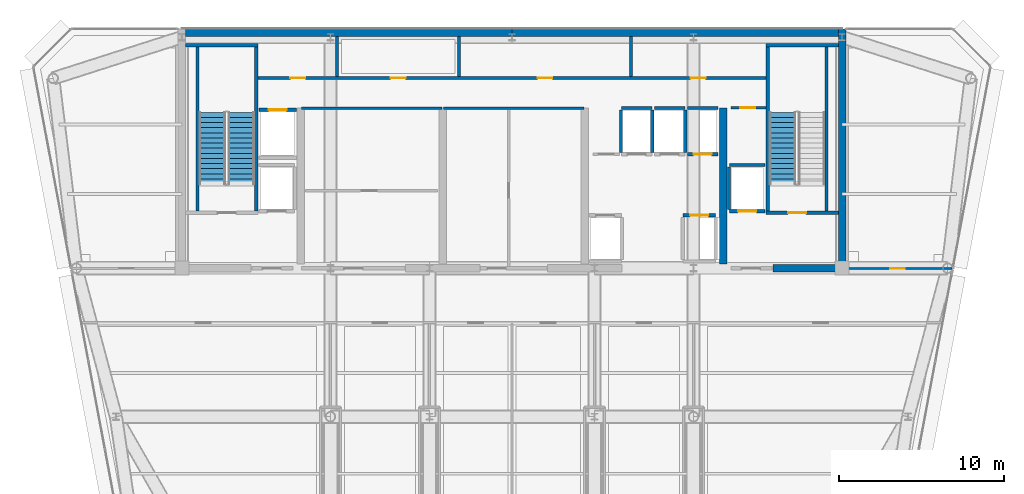
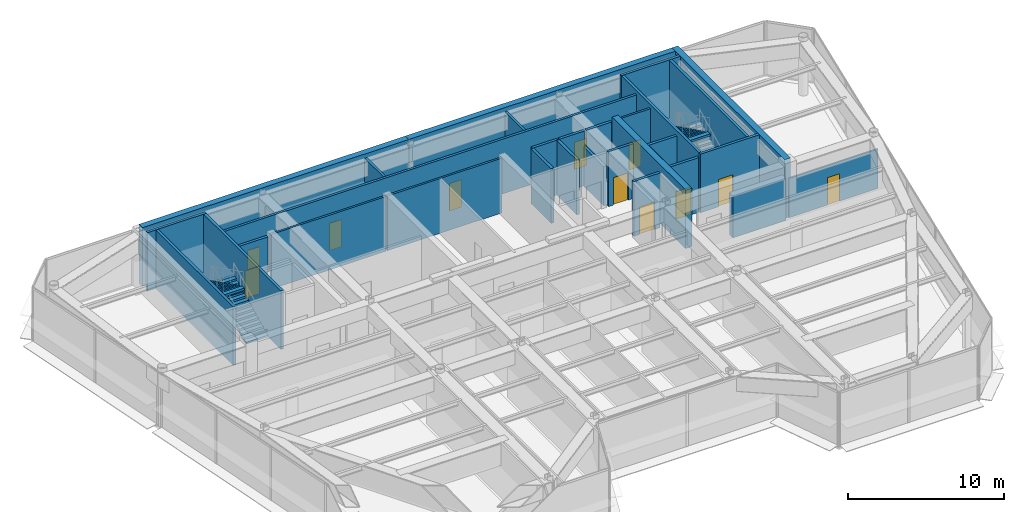
# One storey, part 12 of 20: 32 walls, 11 doors, 3 stair flights, 11 openings, 2 elements without a shape of their own.
"""IFC4 building model written with IfcOpenShell, lengths in metres."""

from ifc_helpers import new_model, si_unit, direction, frame, frame_2d, origin, place, context, subcontext, project, spatial, polyline, rectangle, outline, extrude, source, transform, mapped, material, layer, layer_set, type_object, element, fill, aggregate, save


model = new_model("IFC4")

# Units and contexts
model_context = context("Model", 3, precision=1e-05, world=origin(), true_north=direction((0.0, 1.0)))
body_context = subcontext(model_context, "Body", "Model", "MODEL_VIEW")
ifc_project = project(units=[si_unit("LENGTHUNIT", "METRE"), si_unit("AREAUNIT", "SQUARE_METRE"), si_unit("VOLUMEUNIT", "CUBIC_METRE"), si_unit("PLANEANGLEUNIT", "RADIAN"), si_unit("MASSUNIT", "GRAM", prefix="KILO")], contexts=[model_context])

# Site, building, storey
site_placement = place(None, origin())
site = spatial("IfcSite", under=ifc_project, at=site_placement, CompositionType="ELEMENT")
building_placement = place(site_placement, origin())
building = spatial("IfcBuilding", under=site, at=building_placement, Name="Vaeldorn Concourse Tower", CompositionType="ELEMENT")
storey_placement = place(building_placement, frame((0.0, 0.0, 299.199951171875)))
storey = spatial("IfcBuildingStorey", under=building, at=storey_placement, Name="L77", CompositionType="ELEMENT", Elevation=299.199951171875)

# Walls
ifc_material_1 = material(Name="Concrete C50/60", Category="concrete")
ifc_layer_1 = layer(ifc_material_1, 0.449951171875)
ifc_layer_set_1 = layer_set([ifc_layer_1], Name="Concrete C50/60")
wall_type_1 = type_object("IfcWallType", Name="WL-CORE-450", PredefinedType="SHEAR", material=ifc_layer_set_1)
for number, where, z_axis, x_axis, name in (
    (1, (14.22900390625, 50.77490234375, 0.0), (0.0, 0.0, 1.0), (1.0, 0.0, 0.0), "Rear Core Shear Wall L77 N1"),
    (2, (34.001953125, 50.77490234375, 0.0), (0.0, 0.0, 1.0), (1.0, 0.0, 0.0), "Rear Core Shear Wall L77 N2"),
):
    element("IfcWall", number, at=place(storey_placement, frame(where, z_axis=z_axis, x_axis=x_axis)), inside=storey, type_object=wall_type_1, Name=name, PredefinedType="SHEAR", context=body_context, shape_type="SweptSolid", body=[
        extrude(rectangle(XDim=19.76904296875, YDim=0.449951171875, at=frame_2d((9.884521484375, 0.0))), origin(), (0.0, 0.0, 1.0), 4.60009765625),
    ])
wall_1_placement = place(storey_placement, frame((54.0, 36.5, 0.0), z_axis=(0.0, 0.0, 1.0), x_axis=(0.0, 1.0, 0.0)))
element("IfcWall", 3, at=wall_1_placement, inside=storey, type_object=wall_type_1, Name="Rear Core Shear Wall L77 E1", PredefinedType="SHEAR", context=body_context, shape_type="SweptSolid", body=[
    extrude(rectangle(XDim=14.5, YDim=0.449951171875, at=frame_2d((7.25, 0.0))), origin(), (0.0, 0.0, 1.0), 4.60009765625),
])
wall_2_placement = place(storey_placement, frame((49.800048828125, 36.5, 0.0), z_axis=(0.0, 0.0, 1.0), x_axis=(1.0, 0.0, 0.0)))
element("IfcWall", 4, at=wall_2_placement, inside=storey, type_object=wall_type_1, Name="Rear Core Shear Wall L77 S4", PredefinedType="SHEAR", context=body_context, shape_type="SweptSolid", body=[
    extrude(rectangle(XDim=3.954833984375, YDim=0.449951171875, at=frame_2d((1.9775390625, 0.0))), origin(), (0.0, 0.0, 1.0), 3.300048828125),
])
wall_3_placement = place(storey_placement, frame((46.800048828125, 36.7451171875, 0.0), z_axis=(0.0, 0.0, 1.0), x_axis=(0.0, 1.0, 0.0)))
element("IfcWall", 5, at=wall_3_placement, inside=storey, type_object=wall_type_1, Name="Rear Core Shear Wall L77 M4", PredefinedType="SHEAR", context=body_context, shape_type="SweptSolid", body=[
    extrude(rectangle(XDim=9.454833984375, YDim=0.449951171875, at=frame_2d((4.7275390625, 0.0))), origin(), (0.0, 0.0, 1.0), 4.60009765625),
])

# Wall, opening, door
ifc_material_2 = material(Name="Gypsum Board Partition", Category="gypsum")
ifc_layer_2 = layer(ifc_material_2, 0.1201171875)
ifc_layer_set_2 = layer_set([ifc_layer_2], Name="Gypsum Board Partition")
wall_type_2 = type_object("IfcWallType", Name="WL-PART-120", PredefinedType="PARTITIONING", material=ifc_layer_set_2)
wall_4_placement = place(storey_placement, frame((54.06005859375, 36.47998046875, 0.0), z_axis=(0.0, 0.0, 1.0), x_axis=(1.0, 0.0, 0.0)))
wall_4 = element("IfcWall", 6, at=wall_4_placement, inside=storey, type_object=wall_type_2, Name="Interior Wall PW-L77-NES", PredefinedType="PARTITIONING", context=body_context, shape_type="SweptSolid", body=[
    extrude(rectangle(XDim=6.603759765625, YDim=0.1201171875, at=frame_2d((3.3017578125, 0.0))), origin(), (0.0, 0.0, 1.0), 3.090087890625),
])
opening_1_placement = place(wall_4_placement, frame((2.85205078125, 0.0, 0.0)))
opening_1 = element("IfcOpeningElement", 7, at=opening_1_placement, cuts=wall_4, Name="Opening D-03", PredefinedType="OPENING", context=body_context, shape_type="SweptSolid", body=[
    extrude(rectangle(XDim=0.89990234375, YDim=2.14990234375, at=frame_2d((0.449951171875, 1.074951171875))), frame((0.0, 0.070068359375, 0.0), z_axis=(0.0, -1.0, 0.0), x_axis=(1.0, 0.0, 0.0)), (0.0, 0.0, 1.0), 0.14013671875),
])
ifc_material_3 = material(Name="Acoustic Bronze-Framed Glass Door", Category="glass")
door_type_1 = type_object("IfcDoorType", Name="DR-INT-900", OperationType="NOTDEFINED", PredefinedType="DOOR", material=ifc_material_3)
shared_shape_1 = source(origin(), body_context, "Body", "SweptSolid", [
    extrude(rectangle(XDim=0.89990234375, YDim=2.14990234375, at=frame_2d((0.449951171875, 1.074951171875))), frame((0.0, 0.02490234375, 0.0), z_axis=(0.0, -1.0, 0.0), x_axis=(1.0, 0.0, 0.0)), (0.0, 0.0, 1.0), 0.050048828125),
])
door_1_placement = place(opening_1_placement, origin())
door_1 = element("IfcDoor", 8, at=door_1_placement, inside=storey, type_object=door_type_1, Name="Interior Door DR-L77-NEC", OperationType="SINGLE_SWING_RIGHT", OverallHeight=2.14990234375, OverallWidth=0.89990234375, PredefinedType="DOOR", context=body_context, shape_type="MappedRepresentation", body=[
    mapped(shared_shape_1, transform((0.0, 0.0, 0.0), scale=1.0)),
])
fill(opening_1, door_1)

# Walls
ifc_layer_3 = layer(ifc_material_2, 0.14990234375)
ifc_layer_set_3 = layer_set([ifc_layer_3], Name="Gypsum Board Partition")
wall_type_3 = type_object("IfcWallType", Name="WL-PART-150", PredefinedType="PARTITIONING", material=ifc_layer_set_3)
for number, where, z_axis, x_axis, name in (
    (9, (21.25, 46.199951171875, 0.0), (0.0, 0.0, 1.0), (1.0, 0.0, 0.0), "Interior Wall CW-L77-R1N"),
    (10, (29.85009765625, 46.199951171875, 0.0), (0.0, 0.0, 1.0), (1.0, 0.0, 0.0), "Interior Wall CW-L77-R2N"),
):
    element("IfcWall", number, at=place(storey_placement, frame(where, z_axis=z_axis, x_axis=x_axis)), inside=storey, type_object=wall_type_3, Name=name, PredefinedType="PARTITIONING", context=body_context, shape_type="SweptSolid", body=[
        extrude(rectangle(XDim=8.5, YDim=0.14990234375, at=frame_2d((4.25, 0.0))), origin(), (0.0, 0.0, 1.0), 4.300048828125),
    ])

# Wall, opening, door
wall_5_placement = place(storey_placement, frame((47.280029296875, 46.219970703125, 0.0), z_axis=(0.0, 0.0, 1.0), x_axis=(1.0, 0.0, 0.0)))
wall_5 = element("IfcWall", 11, at=wall_5_placement, inside=storey, type_object=wall_type_3, Name="Interior Wall CW-L77-CRSE-N", PredefinedType="PARTITIONING", context=body_context, shape_type="SweptSolid", body=[
    extrude(rectangle(XDim=2.099853515625, YDim=0.14990234375, at=frame_2d((1.0498046875, 0.0))), origin(), (0.0, 0.0, 1.0), 4.300048828125),
])
opening_2_placement = place(wall_5_placement, frame((0.550048828125, 0.0, 0.0)))
opening_2 = element("IfcOpeningElement", 12, at=opening_2_placement, cuts=wall_5, Name="Opening D-02", PredefinedType="OPENING", context=body_context, shape_type="SweptSolid", body=[
    extrude(rectangle(XDim=0.89990234375, YDim=2.10009765625, at=frame_2d((0.449951171875, 1.050048828125))), frame((0.0, 0.0849609375, 0.0), z_axis=(0.0, -1.0, 0.0), x_axis=(1.0, 0.0, 0.0)), (0.0, 0.0, 1.0), 0.169921875),
])
ifc_material_4 = material(Name="Fire-Rated Timber Leaf", Category="wood")
door_type_2 = type_object("IfcDoorType", Name="DR-FD30-900", OperationType="NOTDEFINED", PredefinedType="DOOR", material=ifc_material_4)
shared_shape_2 = source(origin(), body_context, "Body", "SweptSolid", [
    extrude(rectangle(XDim=0.89990234375, YDim=2.10009765625, at=frame_2d((0.449951171875, 1.050048828125))), frame((0.0, 0.02490234375, 0.0), z_axis=(0.0, -1.0, 0.0), x_axis=(1.0, 0.0, 0.0)), (0.0, 0.0, 1.0), 0.050048828125),
])
door_2_placement = place(opening_2_placement, origin())
door_2 = element("IfcDoor", 13, at=door_2_placement, inside=storey, type_object=door_type_2, Name="Interior Door DR-L77-CRSE", OperationType="SINGLE_SWING_RIGHT", OverallHeight=2.10009765625, OverallWidth=0.89990234375, PredefinedType="DOOR", context=body_context, shape_type="MappedRepresentation", body=[
    mapped(shared_shape_2, transform((0.0, 0.0, 0.0), scale=1.0)),
])
fill(opening_2, door_2)

# Wall, openings, doors
ifc_layer_4 = layer(ifc_material_2, 0.179931640625)
ifc_layer_set_4 = layer_set([ifc_layer_4], Name="Gypsum Board Partition")
wall_type_4 = type_object("IfcWallType", Name="WL-PLUMB-180", PredefinedType="PLUMBINGWALL", material=ifc_layer_set_4)
wall_6_placement = place(storey_placement, frame((18.6201171875, 48.02001953125, 0.0), z_axis=(0.0, 0.0, 1.0), x_axis=(1.0, 0.0, 0.0)))
wall_6 = element("IfcWall", 14, at=wall_6_placement, inside=storey, type_object=wall_type_4, Name="Interior Wall CW-L77-NS0", PredefinedType="PLUMBINGWALL", context=body_context, shape_type="SweptSolid", body=[
    extrude(rectangle(XDim=30.759765625, YDim=0.179931640625, at=frame_2d((15.3798828125, 0.0))), origin(), (0.0, 0.0, 1.0), 4.300048828125),
])
opening_3_placement = place(wall_6_placement, frame((1.955078125, 0.0, 0.0)))
opening_3 = element("IfcOpeningElement", 15, at=opening_3_placement, cuts=wall_6, Name="Opening D-03", PredefinedType="OPENING", context=body_context, shape_type="SweptSolid", body=[
    extrude(rectangle(XDim=0.89990234375, YDim=2.14990234375, at=frame_2d((0.449951171875, 1.074951171875))), frame((0.0, 0.10009765625, 0.0), z_axis=(0.0, -1.0, 0.0), x_axis=(1.0, 0.0, 0.0)), (0.0, 0.0, 1.0), 0.199951171875),
])
opening_4_placement = place(wall_6_placement, frame((8.030029296875, 0.0, 0.0)))
opening_4 = element("IfcOpeningElement", 16, at=opening_4_placement, cuts=wall_6, Name="Opening D-03", PredefinedType="OPENING", context=body_context, shape_type="SweptSolid", body=[
    extrude(rectangle(XDim=0.89990234375, YDim=2.14990234375, at=frame_2d((0.449951171875, 1.074951171875))), frame((0.0, 0.10009765625, 0.0), z_axis=(0.0, -1.0, 0.0), x_axis=(1.0, 0.0, 0.0)), (0.0, 0.0, 1.0), 0.199951171875),
])
opening_5_placement = place(wall_6_placement, frame((16.929931640625, 0.0, 0.0)))
opening_5 = element("IfcOpeningElement", 17, at=opening_5_placement, cuts=wall_6, Name="Opening D-03", PredefinedType="OPENING", context=body_context, shape_type="SweptSolid", body=[
    extrude(rectangle(XDim=0.89990234375, YDim=2.14990234375, at=frame_2d((0.449951171875, 1.074951171875))), frame((0.0, 0.10009765625, 0.0), z_axis=(0.0, -1.0, 0.0), x_axis=(1.0, 0.0, 0.0)), (0.0, 0.0, 1.0), 0.199951171875),
])
opening_6_placement = place(wall_6_placement, frame((26.205078125, 0.0, 0.0)))
opening_6 = element("IfcOpeningElement", 18, at=opening_6_placement, cuts=wall_6, Name="Opening D-03", PredefinedType="OPENING", context=body_context, shape_type="SweptSolid", body=[
    extrude(rectangle(XDim=0.89990234375, YDim=2.14990234375, at=frame_2d((0.449951171875, 1.074951171875))), frame((0.0, 0.10009765625, 0.0), z_axis=(0.0, -1.0, 0.0), x_axis=(1.0, 0.0, 0.0)), (0.0, 0.0, 1.0), 0.199951171875),
])
door_3_placement = place(opening_3_placement, origin())
door_3 = element("IfcDoor", 19, at=door_3_placement, inside=storey, type_object=door_type_1, Name="Interior Door DR-L77-CS1", OperationType="SINGLE_SWING_LEFT", OverallHeight=2.14990234375, OverallWidth=0.89990234375, PredefinedType="DOOR", context=body_context, shape_type="MappedRepresentation", body=[
    mapped(shared_shape_1, transform((0.0, 0.0, 0.0), scale=1.0)),
])
fill(opening_3, door_3)
door_4_placement = place(opening_4_placement, origin())
door_4 = element("IfcDoor", 20, at=door_4_placement, inside=storey, type_object=door_type_1, Name="Interior Door DR-L77-CS2", OperationType="SINGLE_SWING_RIGHT", OverallHeight=2.14990234375, OverallWidth=0.89990234375, PredefinedType="DOOR", context=body_context, shape_type="MappedRepresentation", body=[
    mapped(shared_shape_1, transform((0.0, 0.0, 0.0), scale=1.0)),
])
fill(opening_4, door_4)
door_5_placement = place(opening_5_placement, origin())
door_5 = element("IfcDoor", 21, at=door_5_placement, inside=storey, type_object=door_type_1, Name="Interior Door DR-L77-CS3", OperationType="SINGLE_SWING_LEFT", OverallHeight=2.14990234375, OverallWidth=0.89990234375, PredefinedType="DOOR", context=body_context, shape_type="MappedRepresentation", body=[
    mapped(shared_shape_1, transform((0.0, 0.0, 0.0), scale=1.0)),
])
fill(opening_5, door_5)
door_6_placement = place(opening_6_placement, origin())
door_6 = element("IfcDoor", 22, at=door_6_placement, inside=storey, type_object=door_type_1, Name="Interior Door DR-L77-CS4", OperationType="SINGLE_SWING_RIGHT", OverallHeight=2.14990234375, OverallWidth=0.89990234375, PredefinedType="DOOR", context=body_context, shape_type="MappedRepresentation", body=[
    mapped(shared_shape_1, transform((0.0, 0.0, 0.0), scale=1.0)),
])
fill(opening_6, door_6)

# Walls
wall_7_placement = place(storey_placement, frame((23.39990234375, 48.10009765625, 0.0), z_axis=(0.0, 0.0, 1.0), x_axis=(0.0, 1.0, 0.0)))
element("IfcWall", 23, at=wall_7_placement, inside=storey, type_object=wall_type_4, Name="Interior Wall CW-L77-NDIV1", PredefinedType="PLUMBINGWALL", context=body_context, shape_type="SweptSolid", body=[
    extrude(rectangle(XDim=2.429931640625, YDim=0.179931640625, at=frame_2d((1.21484375, 0.0))), origin(), (0.0, 0.0, 1.0), 3.090087890625),
])
for number, where, z_axis, x_axis, name in (
    (24, (30.800048828125, 48.10009765625, 0.0), (0.0, 0.0, 1.0), (0.0, 1.0, 0.0), "Interior Wall CW-L77-NDIV2"),
    (25, (41.199951171875, 48.10009765625, 0.0), (0.0, 0.0, 1.0), (0.0, 1.0, 0.0), "Interior Wall CW-L77-NDIV3"),
):
    element("IfcWall", number, at=place(storey_placement, frame(where, z_axis=z_axis, x_axis=x_axis)), inside=storey, type_object=wall_type_4, Name=name, PredefinedType="PLUMBINGWALL", context=body_context, shape_type="SweptSolid", body=[
        extrude(rectangle(XDim=2.429931640625, YDim=0.179931640625, at=frame_2d((1.21484375, 0.0))), origin(), (0.0, 0.0, 1.0), 4.300048828125),
    ])
ifc_layer_5 = layer(ifc_material_1, 0.199951171875)
ifc_layer_set_5 = layer_set([ifc_layer_5], Name="Concrete C50/60")
wall_type_5 = type_object("IfcWallType", Name="WL-SHAFT-200", PredefinedType="SOLIDWALL", material=ifc_layer_set_5)
wall_8_placement = place(storey_placement, frame((14.22509765625, 50.0, 0.0), z_axis=(0.0, 0.0, 1.0), x_axis=(1.0, 0.0, 0.0)))
element("IfcWall", 26, at=wall_8_placement, inside=storey, type_object=wall_type_5, Name="Stair Shaft Wall CW-L77-ST-1-N", PredefinedType="SOLIDWALL", context=body_context, shape_type="SweptSolid", body=[
    extrude(rectangle(XDim=4.375, YDim=0.199951171875, at=frame_2d((2.1875, 0.0))), origin(), (0.0, 0.0, 1.0), 4.60009765625),
])
for number, where, z_axis, x_axis, name in (
    (27, (14.949951171875, 39.9599609375, 0.0), (0.0, 0.0, 1.0), (0.0, 1.0, 0.0), "Stair Shaft Wall CW-L77-ST-1-W"),
    (28, (18.5, 39.9599609375, 0.0), (0.0, 0.0, 1.0), (0.0, 1.0, 0.0), "Stair Shaft Wall CW-L77-ST-1-E"),
):
    element("IfcWall", number, at=place(storey_placement, frame(where, z_axis=z_axis, x_axis=x_axis)), inside=storey, type_object=wall_type_5, Name=name, PredefinedType="SOLIDWALL", context=body_context, shape_type="SweptSolid", body=[
        extrude(rectangle(XDim=9.929931640625, YDim=0.199951171875, at=frame_2d((4.96484375, 0.0))), origin(), (0.0, 0.0, 1.0), 4.60009765625),
    ])

# Wall, opening, door
wall_9_placement = place(storey_placement, frame((49.39990234375, 39.85009765625, 0.0), z_axis=(0.0, 0.0, 1.0), x_axis=(1.0, 0.0, 0.0)))
wall_9 = element("IfcWall", 29, at=wall_9_placement, inside=storey, type_object=wall_type_5, Name="Stair Shaft Wall CW-L77-ST-2-S", PredefinedType="SOLIDWALL", context=body_context, shape_type="SweptSolid", body=[
    extrude(rectangle(XDim=4.375, YDim=0.199951171875, at=frame_2d((2.1875, 0.0))), origin(), (0.0, 0.0, 1.0), 4.60009765625),
])
opening_7_placement = place(wall_9_placement, frame((1.324951171875, 0.0, 0.0)))
opening_7 = element("IfcOpeningElement", 30, at=opening_7_placement, cuts=wall_9, Name="Opening D-01", PredefinedType="OPENING", context=body_context, shape_type="SweptSolid", body=[
    extrude(rectangle(XDim=1.10009765625, YDim=2.14990234375, at=frame_2d((0.550048828125, 1.074951171875))), frame((0.0, 0.10986328125, 0.0), z_axis=(0.0, -1.0, 0.0), x_axis=(1.0, 0.0, 0.0)), (0.0, 0.0, 1.0), 0.219970703125),
])
ifc_material_5 = material(Name="Fire-Rated Timber and Steel Leaf", Category="steel")
door_type_3 = type_object("IfcDoorType", Name="DR-FD60-1100", OperationType="NOTDEFINED", PredefinedType="DOOR", material=ifc_material_5)
shared_shape_3 = source(origin(), body_context, "Body", "SweptSolid", [
    extrude(rectangle(XDim=1.10009765625, YDim=2.14990234375, at=frame_2d((0.550048828125, 1.074951171875))), frame((0.0, 0.02490234375, 0.0), z_axis=(0.0, -1.0, 0.0), x_axis=(1.0, 0.0, 0.0)), (0.0, 0.0, 1.0), 0.050048828125),
])
door_7_placement = place(opening_7_placement, origin())
door_7 = element("IfcDoor", 31, at=door_7_placement, inside=storey, type_object=door_type_3, Name="Interior Door DR-L77-ST-2", OperationType="SINGLE_SWING_RIGHT", OverallHeight=2.14990234375, OverallWidth=1.10009765625, PredefinedType="DOOR", context=body_context, shape_type="MappedRepresentation", body=[
    mapped(shared_shape_3, transform((0.0, 0.0, 0.0), scale=1.0)),
])
fill(opening_7, door_7)

# Walls
wall_10_placement = place(storey_placement, frame((49.39990234375, 50.0, 0.0), z_axis=(0.0, 0.0, 1.0), x_axis=(1.0, 0.0, 0.0)))
element("IfcWall", 32, at=wall_10_placement, inside=storey, type_object=wall_type_5, Name="Stair Shaft Wall CW-L77-ST-2-N", PredefinedType="SOLIDWALL", context=body_context, shape_type="SweptSolid", body=[
    extrude(rectangle(XDim=4.375, YDim=0.199951171875, at=frame_2d((2.1875, 0.0))), origin(), (0.0, 0.0, 1.0), 4.60009765625),
])
for number, where, z_axis, x_axis, name in (
    (33, (49.5, 39.9599609375, 0.0), (0.0, 0.0, 1.0), (0.0, 1.0, 0.0), "Stair Shaft Wall CW-L77-ST-2-W"),
    (34, (53.050048828125, 39.9599609375, 0.0), (0.0, 0.0, 1.0), (0.0, 1.0, 0.0), "Stair Shaft Wall CW-L77-ST-2-E"),
):
    element("IfcWall", number, at=place(storey_placement, frame(where, z_axis=z_axis, x_axis=x_axis)), inside=storey, type_object=wall_type_5, Name=name, PredefinedType="SOLIDWALL", context=body_context, shape_type="SweptSolid", body=[
        extrude(rectangle(XDim=9.929931640625, YDim=0.199951171875, at=frame_2d((4.96484375, 0.0))), origin(), (0.0, 0.0, 1.0), 4.60009765625),
    ])

# Wall, opening, door
wall_11_placement = place(storey_placement, frame((44.3701171875, 39.699951171875, 0.0), z_axis=(0.0, 0.0, 1.0), x_axis=(1.0, 0.0, 0.0)))
wall_11 = element("IfcWall", 35, at=wall_11_placement, inside=storey, type_object=wall_type_5, Name="Interior Wall CW-L77-LF-LF-14", PredefinedType="SOLIDWALL", context=body_context, shape_type="SweptSolid", body=[
    extrude(rectangle(XDim=1.9599609375, YDim=0.199951171875, at=frame_2d((0.97998046875, 0.0))), origin(), (0.0, 0.0, 1.0), 4.300048828125),
])
opening_8_placement = place(wall_11_placement, frame((0.429931640625, 0.0, 0.0)))
opening_8 = element("IfcOpeningElement", 36, at=opening_8_placement, cuts=wall_11, Name="Opening LD-1", PredefinedType="OPENING", context=body_context, shape_type="SweptSolid", body=[
    extrude(rectangle(XDim=1.10009765625, YDim=2.14990234375, at=frame_2d((0.550048828125, 1.074951171875))), frame((0.0, 0.10986328125, 0.0), z_axis=(0.0, -1.0, 0.0), x_axis=(1.0, 0.0, 0.0)), (0.0, 0.0, 1.0), 0.219970703125),
])
ifc_material_6 = material(Name="Anodised Bronze Aluminium", Category="aluminium")
door_type_4 = type_object("IfcDoorType", Name="DR-LIFT-SLIDE-1100", OperationType="DOUBLE_DOOR_SLIDING", PredefinedType="DOOR", material=ifc_material_6)
door_8_placement = place(opening_8_placement, origin())
door_8 = element("IfcDoor", 37, at=door_8_placement, inside=storey, type_object=door_type_4, Name="Lift Landing Door LD-L77-LF-14", OperationType="DOUBLE_DOOR_SLIDING", OverallHeight=2.14990234375, OverallWidth=1.10009765625, PredefinedType="DOOR", context=body_context, shape_type="MappedRepresentation", body=[
    mapped(shared_shape_3, transform((0.0, 0.0, 0.0), scale=1.0)),
])
fill(opening_8, door_8)

# Walls
wall_12_placement = place(storey_placement, frame((40.6201171875, 46.199951171875, 0.0), z_axis=(0.0, 0.0, 1.0), x_axis=(1.0, 0.0, 0.0)))
element("IfcWall", 38, at=wall_12_placement, inside=storey, type_object=wall_type_5, Name="Interior Wall CW-L77-LFB-LF-15", PredefinedType="SOLIDWALL", context=body_context, shape_type="SweptSolid", body=[
    extrude(rectangle(XDim=1.85986328125, YDim=0.199951171875, at=frame_2d((0.929931640625, 0.0))), origin(), (0.0, 0.0, 1.0), 4.300048828125),
])
for number, where, z_axis, x_axis, name in (
    (39, (40.60009765625, 43.52001953125, 0.0), (0.0, 0.0, 1.0), (0.0, 1.0, 0.0), "Interior Wall CW-L77-LFW-LF-15"),
    (40, (42.5, 43.52001953125, 0.0), (0.0, 0.0, 1.0), (0.0, 1.0, 0.0), "Interior Wall CW-L77-LFE-LF-15"),
):
    element("IfcWall", number, at=place(storey_placement, frame(where, z_axis=z_axis, x_axis=x_axis)), inside=storey, type_object=wall_type_5, Name=name, PredefinedType="SOLIDWALL", context=body_context, shape_type="SweptSolid", body=[
        extrude(rectangle(XDim=2.56005859375, YDim=0.199951171875, at=frame_2d((1.280029296875, 0.0))), origin(), (0.0, 0.0, 1.0), 4.300048828125),
    ])
wall_13_placement = place(storey_placement, frame((42.6201171875, 46.199951171875, 0.0), z_axis=(0.0, 0.0, 1.0), x_axis=(1.0, 0.0, 0.0)))
element("IfcWall", 41, at=wall_13_placement, inside=storey, type_object=wall_type_5, Name="Interior Wall CW-L77-LFB-LF-16", PredefinedType="SOLIDWALL", context=body_context, shape_type="SweptSolid", body=[
    extrude(rectangle(XDim=1.85986328125, YDim=0.199951171875, at=frame_2d((0.929931640625, 0.0))), origin(), (0.0, 0.0, 1.0), 4.300048828125),
])
wall_14_placement = place(storey_placement, frame((44.5, 43.52001953125, 0.0), z_axis=(0.0, 0.0, 1.0), x_axis=(0.0, 1.0, 0.0)))
element("IfcWall", 42, at=wall_14_placement, inside=storey, type_object=wall_type_5, Name="Interior Wall CW-L77-LFE-LF-16", PredefinedType="SOLIDWALL", context=body_context, shape_type="SweptSolid", body=[
    extrude(rectangle(XDim=2.56005859375, YDim=0.199951171875, at=frame_2d((1.280029296875, 0.0))), origin(), (0.0, 0.0, 1.0), 3.090087890625),
])

# Wall, opening, door
wall_15_placement = place(storey_placement, frame((44.6201171875, 43.39990234375, 0.0), z_axis=(0.0, 0.0, 1.0), x_axis=(1.0, 0.0, 0.0)))
wall_15 = element("IfcWall", 43, at=wall_15_placement, inside=storey, type_object=wall_type_5, Name="Interior Wall CW-L77-LF-LF-17", PredefinedType="SOLIDWALL", context=body_context, shape_type="SweptSolid", body=[
    extrude(rectangle(XDim=1.85986328125, YDim=0.199951171875, at=frame_2d((0.929931640625, 0.0))), origin(), (0.0, 0.0, 1.0), 4.300048828125),
])
opening_9_placement = place(wall_15_placement, frame((0.3798828125, 0.0, 0.0)))
opening_9 = element("IfcOpeningElement", 44, at=opening_9_placement, cuts=wall_15, Name="Opening LD-1", PredefinedType="OPENING", context=body_context, shape_type="SweptSolid", body=[
    extrude(rectangle(XDim=1.10009765625, YDim=2.14990234375, at=frame_2d((0.550048828125, 1.074951171875))), frame((0.0, 0.10986328125, 0.0), z_axis=(0.0, -1.0, 0.0), x_axis=(1.0, 0.0, 0.0)), (0.0, 0.0, 1.0), 0.219970703125),
])
door_9_placement = place(opening_9_placement, origin())
door_9 = element("IfcDoor", 45, at=door_9_placement, inside=storey, type_object=door_type_4, Name="Lift Landing Door LD-L77-LF-17", OperationType="DOUBLE_DOOR_SLIDING", OverallHeight=2.14990234375, OverallWidth=1.10009765625, PredefinedType="DOOR", context=body_context, shape_type="MappedRepresentation", body=[
    mapped(shared_shape_3, transform((0.0, 0.0, 0.0), scale=1.0)),
])
fill(opening_9, door_9)

# Wall
wall_16_placement = place(storey_placement, frame((44.6201171875, 46.199951171875, 0.0), z_axis=(0.0, 0.0, 1.0), x_axis=(1.0, 0.0, 0.0)))
element("IfcWall", 46, at=wall_16_placement, inside=storey, type_object=wall_type_5, Name="Interior Wall CW-L77-LFB-LF-17", PredefinedType="SOLIDWALL", context=body_context, shape_type="SweptSolid", body=[
    extrude(rectangle(XDim=1.85986328125, YDim=0.199951171875, at=frame_2d((0.929931640625, 0.0))), origin(), (0.0, 0.0, 1.0), 4.300048828125),
])

# Wall, opening, door
wall_17_placement = place(storey_placement, frame((18.669921875, 46.10009765625, 0.0), z_axis=(0.0, 0.0, 1.0), x_axis=(1.0, 0.0, 0.0)))
wall_17 = element("IfcWall", 47, at=wall_17_placement, inside=storey, type_object=wall_type_5, Name="Interior Wall CW-L77-LF-LF-SV1", PredefinedType="SOLIDWALL", context=body_context, shape_type="SweptSolid", body=[
    extrude(rectangle(XDim=2.260009765625, YDim=0.199951171875, at=frame_2d((1.1298828125, 0.0))), origin(), (0.0, 0.0, 1.0), 4.300048828125),
])
opening_10_placement = place(wall_17_placement, frame((0.580078125, 0.0, 0.0)))
opening_10 = element("IfcOpeningElement", 48, at=opening_10_placement, cuts=wall_17, Name="Opening LD-1", PredefinedType="OPENING", context=body_context, shape_type="SweptSolid", body=[
    extrude(rectangle(XDim=1.10009765625, YDim=2.14990234375, at=frame_2d((0.550048828125, 1.074951171875))), frame((0.0, 0.10986328125, 0.0), z_axis=(0.0, -1.0, 0.0), x_axis=(1.0, 0.0, 0.0)), (0.0, 0.0, 1.0), 0.219970703125),
])
door_10_placement = place(opening_10_placement, origin())
door_10 = element("IfcDoor", 49, at=door_10_placement, inside=storey, type_object=door_type_4, Name="Lift Landing Door LD-L77-LF-SV1", OperationType="DOUBLE_DOOR_SLIDING", OverallHeight=2.14990234375, OverallWidth=1.10009765625, PredefinedType="DOOR", context=body_context, shape_type="MappedRepresentation", body=[
    mapped(shared_shape_3, transform((0.0, 0.0, 0.0), scale=1.0)),
])
fill(opening_10, door_10)

wall_18_placement = place(storey_placement, frame((47.169921875, 39.949951171875, 0.0), z_axis=(0.0, 0.0, 1.0), x_axis=(1.0, 0.0, 0.0)))
wall_18 = element("IfcWall", 50, at=wall_18_placement, inside=storey, type_object=wall_type_5, Name="Interior Wall CW-L77-LF-LF-FF2", PredefinedType="SOLIDWALL", context=body_context, shape_type="SweptSolid", body=[
    extrude(rectangle(XDim=2.16015625, YDim=0.199951171875, at=frame_2d((1.080078125, 0.0))), origin(), (0.0, 0.0, 1.0), 4.300048828125),
])
opening_11_placement = place(wall_18_placement, frame((0.530029296875, 0.0, 0.0)))
opening_11 = element("IfcOpeningElement", 51, at=opening_11_placement, cuts=wall_18, Name="Opening LD-1", PredefinedType="OPENING", context=body_context, shape_type="SweptSolid", body=[
    extrude(rectangle(XDim=1.10009765625, YDim=2.14990234375, at=frame_2d((0.550048828125, 1.074951171875))), frame((0.0, 0.10986328125, 0.0), z_axis=(0.0, -1.0, 0.0), x_axis=(1.0, 0.0, 0.0)), (0.0, 0.0, 1.0), 0.219970703125),
])
door_11_placement = place(opening_11_placement, origin())
door_11 = element("IfcDoor", 52, at=door_11_placement, inside=storey, type_object=door_type_4, Name="Lift Landing Door LD-L77-LF-FF2", OperationType="DOUBLE_DOOR_SLIDING", OverallHeight=2.14990234375, OverallWidth=1.10009765625, PredefinedType="DOOR", context=body_context, shape_type="MappedRepresentation", body=[
    mapped(shared_shape_3, transform((0.0, 0.0, 0.0), scale=1.0)),
])
fill(opening_11, door_11)

# Walls
wall_19_placement = place(storey_placement, frame((47.169921875, 42.75, 0.0), z_axis=(0.0, 0.0, 1.0), x_axis=(1.0, 0.0, 0.0)))
element("IfcWall", 53, at=wall_19_placement, inside=storey, type_object=wall_type_5, Name="Interior Wall CW-L77-LFB-LF-FF2", PredefinedType="SOLIDWALL", context=body_context, shape_type="SweptSolid", body=[
    extrude(rectangle(XDim=2.16015625, YDim=0.199951171875, at=frame_2d((1.080078125, 0.0))), origin(), (0.0, 0.0, 1.0), 4.300048828125),
])
wall_20_placement = place(storey_placement, frame((47.14990234375, 40.070068359375, 0.0), z_axis=(0.0, 0.0, 1.0), x_axis=(0.0, 1.0, 0.0)))
element("IfcWall", 54, at=wall_20_placement, inside=storey, type_object=wall_type_5, Name="Interior Wall CW-L77-LFW-LF-FF2", PredefinedType="SOLIDWALL", context=body_context, shape_type="SweptSolid", body=[
    extrude(rectangle(XDim=2.559814453125, YDim=0.199951171875, at=frame_2d((1.27978515625, 0.0))), origin(), (0.0, 0.0, 1.0), 4.300048828125),
])

# Stair, stair flights
ifc_material_7 = material(Name="Precast concrete C40/50", Category="concrete")
stair_type = type_object("IfcStairType", Name="STR-DOG-30x153", PredefinedType="HALF_TURN_STAIR", material=ifc_material_7)
stair_1_placement = place(storey_placement, origin())
stair_1 = element("IfcStair", 55, at=stair_1_placement, inside=storey, type_object=stair_type, Name="L77 West Core Exit Stair ST-1", PredefinedType="HALF_TURN_STAIR")
stair_flight_type = type_object("IfcStairFlightType", Name="STF-STR-15x153", PredefinedType="STRAIGHT", material=ifc_material_7)
stair_flight_1_placement = place(storey_placement, frame((17.60009765625, 41.60009765625, 0.0), z_axis=(0.0, 0.0, 1.0), x_axis=(0.0, 1.0, 0.0)))
stair_flight_1 = element("IfcStairFlight", 56, at=stair_flight_1_placement, type_object=stair_flight_type, Name="ST-1 flight 1", NumberOfRisers=15, NumberOfTreads=14, PredefinedType="STRAIGHT", RiserHeight=0.153333333, TreadLength=0.31, context=body_context, shape_type="SweptSolid", body=[
    extrude(outline(polyline([(0.0, 0.0), (0.0, 0.1533203125), (0.31005859375, 0.1533203125), (0.31005859375, 0.306640625), (0.6201171875, 0.306640625), (0.6201171875, 0.4599609375), (0.929931640625, 0.4599609375), (0.929931640625, 0.61328125), (1.239990234375, 0.61328125), (1.239990234375, 0.7666015625), (1.550048828125, 0.7666015625), (1.550048828125, 0.919921875), (1.860107421875, 0.919921875), (1.860107421875, 1.0732421875), (2.169921875, 1.0732421875), (2.169921875, 1.2265625), (2.47998046875, 1.2265625), (2.47998046875, 1.3798828125), (2.7900390625, 1.3798828125), (2.7900390625, 1.533447265625), (3.10009765625, 1.533447265625), (3.10009765625, 1.686767578125), (3.409912109375, 1.686767578125), (3.409912109375, 1.840087890625), (3.719970703125, 1.840087890625), (3.719970703125, 1.993408203125), (4.030029296875, 1.993408203125), (4.030029296875, 2.146728515625), (4.340087890625, 2.146728515625), (4.340087890625, 2.300048828125), (4.340087890625, 1.9794921875), (0.338134765625, 0.0), (0.0, 0.0)])), frame((0.0, 0.800048828125, 0.0), z_axis=(0.0, -1.0, 0.0), x_axis=(1.0, 0.0, 0.0)), (0.0, 0.0, 1.0), 1.60009765625),
])
stair_flight_2_placement = place(storey_placement, frame((15.85009765625, 45.93994140625, 2.300048828125), z_axis=(0.0, 0.0, 1.0), x_axis=(0.0, -1.0, 0.0)))
stair_flight_2 = element("IfcStairFlight", 57, at=stair_flight_2_placement, type_object=stair_flight_type, Name="ST-1 flight 2", NumberOfRisers=15, NumberOfTreads=14, PredefinedType="STRAIGHT", RiserHeight=0.153333333, TreadLength=0.31, context=body_context, shape_type="SweptSolid", body=[
    extrude(outline(polyline([(0.0, 0.0), (0.0, 0.1533203125), (0.31005859375, 0.1533203125), (0.31005859375, 0.306640625), (0.6201171875, 0.306640625), (0.6201171875, 0.4599609375), (0.929931640625, 0.4599609375), (0.929931640625, 0.61328125), (1.239990234375, 0.61328125), (1.239990234375, 0.7666015625), (1.550048828125, 0.7666015625), (1.550048828125, 0.919921875), (1.860107421875, 0.919921875), (1.860107421875, 1.0732421875), (2.169921875, 1.0732421875), (2.169921875, 1.2265625), (2.47998046875, 1.2265625), (2.47998046875, 1.3798828125), (2.7900390625, 1.3798828125), (2.7900390625, 1.533447265625), (3.10009765625, 1.533447265625), (3.10009765625, 1.686767578125), (3.409912109375, 1.686767578125), (3.409912109375, 1.840087890625), (3.719970703125, 1.840087890625), (3.719970703125, 1.993408203125), (4.030029296875, 1.993408203125), (4.030029296875, 2.146728515625), (4.340087890625, 2.146728515625), (4.340087890625, 2.300048828125), (4.340087890625, 1.9794921875), (0.338134765625, 0.0), (0.0, 0.0)])), frame((0.0, 0.800048828125, 0.0), z_axis=(0.0, -1.0, 0.0), x_axis=(1.0, 0.0, 0.0)), (0.0, 0.0, 1.0), 1.60009765625),
])
aggregate(stair_1, [stair_flight_1, stair_flight_2])

# Stair, stair flight
stair_2_placement = place(storey_placement, origin())
stair_2 = element("IfcStair", 58, at=stair_2_placement, inside=storey, type_object=stair_type, Name="L77 East Core Exit Stair ST-2", PredefinedType="HALF_TURN_STAIR")
stair_flight_3_placement = place(storey_placement, frame((50.39990234375, 45.93994140625, 2.300048828125), z_axis=(0.0, 0.0, 1.0), x_axis=(0.0, -1.0, 0.0)))
stair_flight_3 = element("IfcStairFlight", 59, at=stair_flight_3_placement, type_object=stair_flight_type, Name="ST-2 flight 2", NumberOfRisers=15, NumberOfTreads=14, PredefinedType="STRAIGHT", RiserHeight=0.153333333, TreadLength=0.31, context=body_context, shape_type="SweptSolid", body=[
    extrude(outline(polyline([(0.0, 0.0), (0.0, 0.1533203125), (0.31005859375, 0.1533203125), (0.31005859375, 0.306640625), (0.6201171875, 0.306640625), (0.6201171875, 0.4599609375), (0.929931640625, 0.4599609375), (0.929931640625, 0.61328125), (1.239990234375, 0.61328125), (1.239990234375, 0.7666015625), (1.550048828125, 0.7666015625), (1.550048828125, 0.919921875), (1.860107421875, 0.919921875), (1.860107421875, 1.0732421875), (2.169921875, 1.0732421875), (2.169921875, 1.2265625), (2.47998046875, 1.2265625), (2.47998046875, 1.3798828125), (2.7900390625, 1.3798828125), (2.7900390625, 1.533447265625), (3.10009765625, 1.533447265625), (3.10009765625, 1.686767578125), (3.409912109375, 1.686767578125), (3.409912109375, 1.840087890625), (3.719970703125, 1.840087890625), (3.719970703125, 1.993408203125), (4.030029296875, 1.993408203125), (4.030029296875, 2.146728515625), (4.340087890625, 2.146728515625), (4.340087890625, 2.300048828125), (4.340087890625, 1.9794921875), (0.338134765625, 0.0), (0.0, 0.0)])), frame((0.0, 0.800048828125, 0.0), z_axis=(0.0, -1.0, 0.0), x_axis=(1.0, 0.0, 0.0)), (0.0, 0.0, 1.0), 1.60009765625),
])
aggregate(stair_2, [stair_flight_3])

save(model, "model.ifc")
